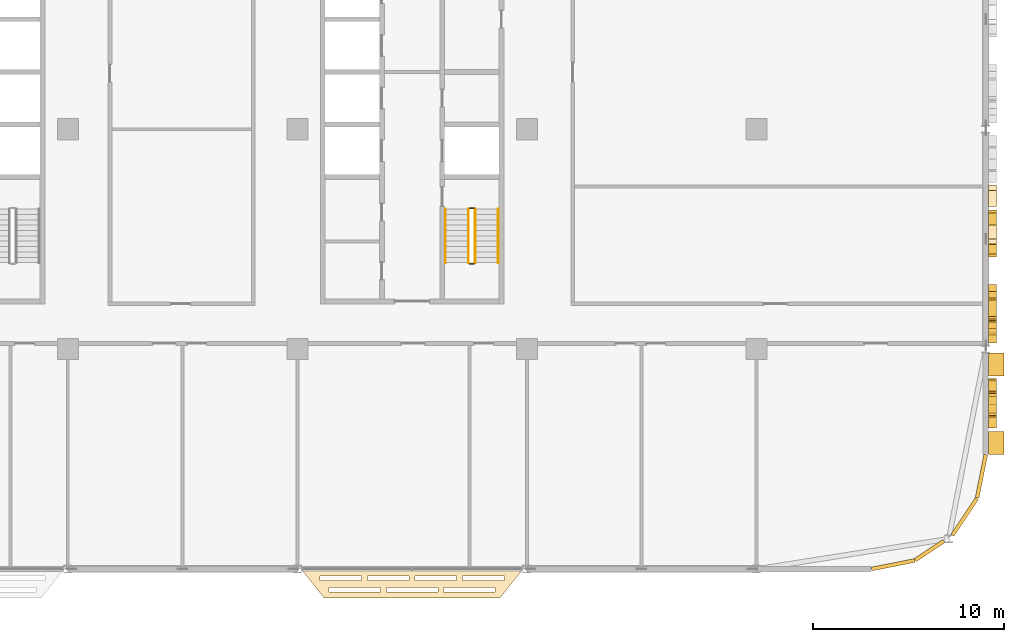
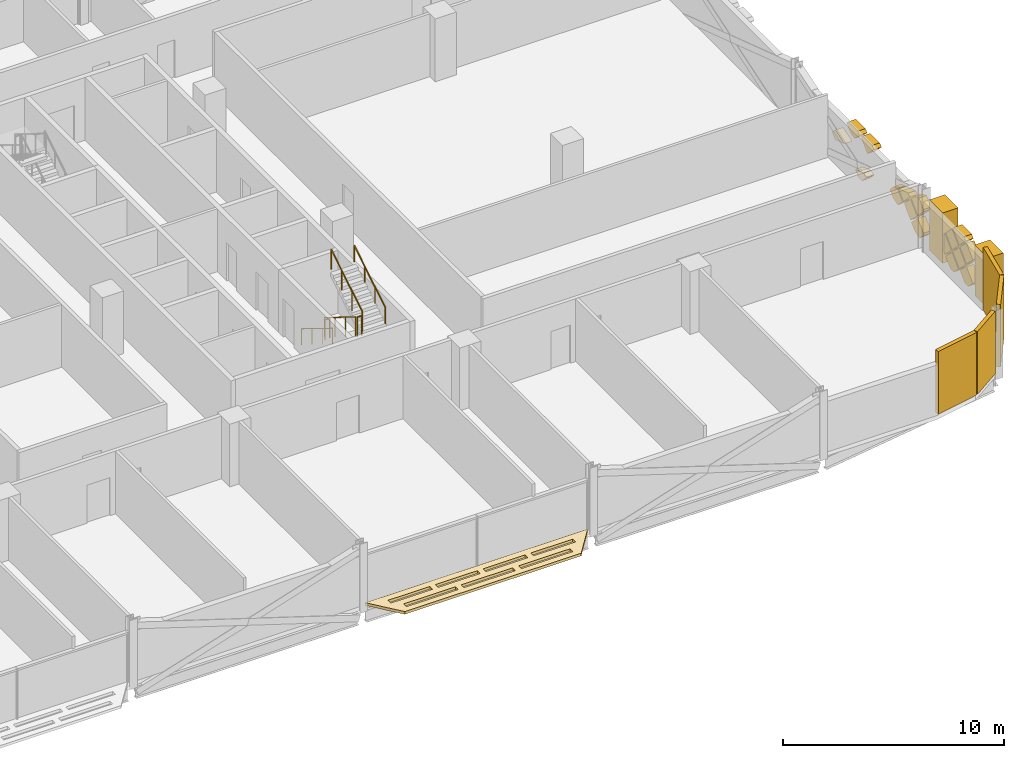
# One storey, part 28 of 29: 23 coverings, 6 railings.
"""IFC4 building model written with IfcOpenShell, lengths in metres."""

from ifc_helpers import new_model, si_unit, direction, frame, origin, origin_2d, place, context, subcontext, project, spatial, polyline, rectangle, circle, outline, extrude, material, layer, layer_set, type_object, element, save


model = new_model("IFC4")

# Units and contexts
model_context = context("Model", 3, precision=1e-05, world=origin(), true_north=direction((0.0, 1.0)))
body_context = subcontext(model_context, "Body", "Model", "MODEL_VIEW")
ifc_project = project(units=[si_unit("LENGTHUNIT", "METRE"), si_unit("AREAUNIT", "SQUARE_METRE"), si_unit("VOLUMEUNIT", "CUBIC_METRE"), si_unit("PLANEANGLEUNIT", "RADIAN"), si_unit("MASSUNIT", "GRAM", prefix="KILO")], contexts=[model_context])

# Site, building, storey
site_placement = place(None, origin())
site = spatial("IfcSite", under=ifc_project, at=site_placement, CompositionType="ELEMENT")
building_placement = place(site_placement, origin())
building = spatial("IfcBuilding", under=site, at=building_placement, Name="Mahtab Terrace Research Tower", CompositionType="ELEMENT")
storey_placement = place(building_placement, frame((0.0, 0.0, 197.699951171875)))
storey = spatial("IfcBuildingStorey", under=building, at=storey_placement, Name="L47", CompositionType="ELEMENT", Elevation=197.699951171875)

# Coverings
ifc_material_1 = material(Name="Black aluminium cladding panel", Category="aluminium")
ifc_layer_1 = layer(ifc_material_1, 0.199951171875)
ifc_layer_set_1 = layer_set([ifc_layer_1], Name="Black metal corner cladding 200")
covering_type_1 = type_object("IfcCoveringType", Name="Black metal corner cladding 200", PredefinedType="CLADDING", material=ifc_layer_set_1)
covering_1_placement = place(storey_placement, frame((49.14794921875, -22.771484375, 0.0), z_axis=(0.0, 0.0, 1.0), x_axis=(0.980760981187, 0.195212442692, 0.0)))
element("IfcCovering", 1, at=covering_1_placement, inside=storey, type_object=covering_type_1, Name="Corner cladding L47 31", PredefinedType="CLADDING", context=body_context, shape_type="SweptSolid", body=[
    extrude(rectangle(XDim=2.30126953125, YDim=0.199951171875, at=origin_2d()), origin(), (0.0, 0.0, 1.0), 3.4599609375),
])
covering_2_placement = place(storey_placement, frame((51.059814453125, -22.032958984375, 0.0), z_axis=(0.0, 0.0, 1.0), x_axis=(0.831655794326, 0.555291490808, 0.0)))
element("IfcCovering", 2, at=covering_2_placement, inside=storey, type_object=covering_type_1, Name="Corner cladding L47 32", PredefinedType="CLADDING", context=body_context, shape_type="SweptSolid", body=[
    extrude(rectangle(XDim=1.797119140625, YDim=0.199951171875, at=origin_2d()), origin(), (0.0, 0.0, 1.0), 3.4599609375),
])
for number, where, z_axis, x_axis, name in (
    (3, (52.89306640625, -20.26953125, 0.0), (0.0, 0.0, 1.0), (0.555291490808, 0.831655794326, 0.0), "Corner cladding L47 33"),
    (4, (53.771484375, -18.14794921875, 0.0), (0.0, 0.0, 1.0), (0.195212442692, 0.980760981187, 0.0), "Corner cladding L47 34"),
):
    element("IfcCovering", number, at=place(storey_placement, frame(where, z_axis=z_axis, x_axis=x_axis)), inside=storey, type_object=covering_type_1, Name=name, PredefinedType="CLADDING", context=body_context, shape_type="SweptSolid", body=[
        extrude(rectangle(XDim=2.30126953125, YDim=0.199951171875, at=origin_2d()), origin(), (0.0, 0.0, 1.0), 3.4599609375),
    ])
ifc_material_2 = material(Name="Black anodised aluminium", Category="aluminium")
ifc_layer_2 = layer(ifc_material_2, 0.14990234375)
ifc_layer_set_2 = layer_set([ifc_layer_2], Name="Horizontal sunshade band")
covering_type_2 = type_object("IfcCoveringType", Name="Horizontal sunshade band", PredefinedType="CLADDING", material=ifc_layer_set_2)
covering_3_placement = place(storey_placement, frame((0.0, 0.0, -0.14990234375)))
element("IfcCovering", 5, at=covering_3_placement, inside=storey, type_object=covering_type_2, Name="Sunshade band L47 28", PredefinedType="CLADDING", context=body_context, shape_type="SweptSolid", body=[
    extrude(outline(polyline([(18.199951171875, -23.0), (29.800048828125, -23.0), (28.60009765625, -24.5), (19.39990234375, -24.5), (18.199951171875, -23.0)]), holes=[polyline([(19.179931640625, -23.35009765625), (21.364990234375, -23.35009765625), (21.364990234375, -23.60009765625), (19.179931640625, -23.60009765625), (19.179931640625, -23.35009765625)]), polyline([(21.6650390625, -23.35009765625), (23.85009765625, -23.35009765625), (23.85009765625, -23.60009765625), (21.6650390625, -23.60009765625), (21.6650390625, -23.35009765625)]), polyline([(24.14990234375, -23.35009765625), (26.3349609375, -23.35009765625), (26.3349609375, -23.60009765625), (24.14990234375, -23.60009765625), (24.14990234375, -23.35009765625)]), polyline([(26.635009765625, -23.35009765625), (28.820068359375, -23.35009765625), (28.820068359375, -23.60009765625), (26.635009765625, -23.60009765625), (26.635009765625, -23.35009765625)]), polyline([(19.659912109375, -23.949951171875), (22.35302734375, -23.949951171875), (22.35302734375, -24.199951171875), (19.659912109375, -24.199951171875), (19.659912109375, -23.949951171875)]), polyline([(22.653076171875, -23.949951171875), (25.346923828125, -23.949951171875), (25.346923828125, -24.199951171875), (22.653076171875, -24.199951171875), (22.653076171875, -23.949951171875)]), polyline([(25.64697265625, -23.949951171875), (28.340087890625, -23.949951171875), (28.340087890625, -24.199951171875), (25.64697265625, -24.199951171875), (25.64697265625, -23.949951171875)])]), origin(), (0.0, 0.0, 1.0), 0.14990234375),
])
ifc_material_3 = material(Name="Bronze anodised aluminium", Category="aluminium")
ifc_layer_3 = layer(ifc_material_3, 0.39990234375)
ifc_layer_set_3 = layer_set([ifc_layer_3], Name="Mashrabiya relief panel 400")
covering_type_3 = type_object("IfcCoveringType", Name="Mashrabiya relief panel 400", PredefinedType="CLADDING", material=ifc_layer_set_3)
covering_4_placement = place(storey_placement, frame((54.14990234375, -15.6298828125, 0.550048828125), z_axis=(-1.0, 0.0, 0.0), x_axis=(0.0, 0.706957932274, 0.707255598772)))
element("IfcCovering", 6, at=covering_4_placement, inside=storey, type_object=covering_type_3, Name="Mashrabiya lattice cell L47 E35.1", PredefinedType="CLADDING", context=body_context, shape_type="SweptSolid", body=[
    extrude(outline(polyline([(0.0, 0.0), (0.8201817362875763, 0.0), (0.8200090664636573, 0.8203543334390104), (0.23305520836335525, 0.820230790214826), (-0.0002961403756186476, 0.5867811882763831), (0.0, 0.0)])), origin(), (0.0, 0.0, -1.0), 0.39990234375),
])
covering_5_placement = place(storey_placement, frame((54.14990234375, -15.050048828125, 2.429931640625), z_axis=(-1.0, 0.0, 0.0), x_axis=(0.0, 0.707255598772, -0.706957932274)))
element("IfcCovering", 7, at=covering_5_placement, inside=storey, type_object=covering_type_3, Name="Mashrabiya lattice cell L47 E35.2", PredefinedType="CLADDING", context=body_context, shape_type="SweptSolid", body=[
    extrude(outline(polyline([(0.0, 0.0), (0.8201817362875763, 0.0), (0.8200090664636573, 0.8203543334390104), (-0.00017259715143413956, 0.8200090664636573), (0.0, 0.0)])), origin(), (0.0, 0.0, -1.0), 0.39990234375),
])
covering_6_placement = place(storey_placement, frame((54.14990234375, -14.39990234375, 1.780029296875), z_axis=(-1.0, 0.0, 0.0), x_axis=(0.0, 0.706957932274, -0.707255598772)))
element("IfcCovering", 8, at=covering_6_placement, inside=storey, type_object=covering_type_3, Name="Mashrabiya lattice cell L47 E35.3", PredefinedType="CLADDING", context=body_context, shape_type="SweptSolid", body=[
    extrude(outline(polyline([(0.0, 0.0), (0.8201817362875763, 0.0), (0.8203543334390104, 0.8200090664636573), (0.00017266982391900276, 0.8203543334390104), (0.0, 0.0)])), origin(), (0.0, 0.0, -1.0), 0.39990234375),
])
covering_7_placement = place(storey_placement, frame((54.14990234375, -13.820068359375, 2.5), z_axis=(-1.0, 0.0, 0.0), x_axis=(0.0, -0.707106781187, -0.707106781187)))
element("IfcCovering", 9, at=covering_7_placement, inside=storey, type_object=covering_type_3, Name="Mashrabiya lattice cell L47 E35.4", PredefinedType="CLADDING", context=body_context, shape_type="SweptSolid", body=[
    extrude(outline(polyline([(0.0, 0.0), (0.8200090846279543, 0.0), (0.820181718119455, 0.820181718119455), (0.6123309943527061, 0.820181718119455), (0.0, 0.20785072376674885), (0.0, 0.0)])), origin(), (0.0, 0.0, -1.0), 0.39990234375),
])
covering_8_placement = place(storey_placement, frame((54.14990234375, -14.330078125, 0.550048828125), z_axis=(-1.0, 0.0, 0.0), x_axis=(0.0, 0.707106781187, 0.707106781187)))
element("IfcCovering", 10, at=covering_8_placement, inside=storey, type_object=covering_type_3, Name="Mashrabiya lattice cell L47 E35.5", PredefinedType="CLADDING", context=body_context, shape_type="SweptSolid", body=[
    extrude(outline(polyline([(0.0, 0.0), (0.8203543516109556, 0.0), (0.8203543516109556, 0.8203543516109556), (0.23340048050884088, 0.8203543516109556), (0.0, 0.5869538711021147), (0.0, 0.0)])), origin(), (0.0, 0.0, -1.0), 0.39990234375),
])
covering_9_placement = place(storey_placement, frame((54.14990234375, -13.75, 2.429931640625), z_axis=(-1.0, 0.0, 0.0), x_axis=(0.0, 0.707255598772, -0.706957932274)))
element("IfcCovering", 11, at=covering_9_placement, inside=storey, type_object=covering_type_3, Name="Mashrabiya lattice cell L47 E35.6", PredefinedType="CLADDING", context=body_context, shape_type="SweptSolid", body=[
    extrude(outline(polyline([(0.0, 0.0), (0.8201817362875763, 0.0), (0.8200090664636573, 0.8203543334390104), (-0.0003452669753531423, 0.8201816636150915), (0.0, 0.0)])), origin(), (0.0, 0.0, -1.0), 0.39990234375),
])
covering_10_placement = place(storey_placement, frame((54.14990234375, -13.10009765625, 0.6201171875), z_axis=(-1.0, 0.0, 0.0), x_axis=(0.0, -0.707106781187, 0.707106781187)))
element("IfcCovering", 12, at=covering_10_placement, inside=storey, type_object=covering_type_3, Name="Mashrabiya lattice cell L47 E35.7", PredefinedType="CLADDING", context=body_context, shape_type="SweptSolid", body=[
    extrude(outline(polyline([(0.0, 0.0), (0.8200090846279543, 0.0), (0.820181718119455, 0.820181718119455), (0.7281680671496235, 0.8203543516109556), (-0.00017263349150062335, 0.09201365096983151), (0.0, 0.0)])), origin(), (0.0, 0.0, -1.0), 0.39990234375),
])
covering_11_placement = place(storey_placement, frame((54.14990234375, -11.1650390625, 0.485107421875), z_axis=(-1.0, 0.0, 0.0), x_axis=(0.0, 0.0, 1.0)))
element("IfcCovering", 13, at=covering_11_placement, inside=storey, type_object=covering_type_3, Name="Mashrabiya lattice cell L47 E36.1", PredefinedType="CLADDING", context=body_context, shape_type="SweptSolid", body=[
    extrude(outline(polyline([(0.0, 0.0), (0.1298828125, 0.0), (0.64501953125, 0.51513671875), (0.06494140625, 1.094970703125), (-0.22314453125, 0.80712890625), (-0.35009765625, 0.424072265625), (-0.35009765625, 0.35009765625), (0.0, 0.0)])), origin(), (0.0, 0.0, -1.0), 0.39990234375),
])
covering_12_placement = place(storey_placement, frame((54.14990234375, -10.070068359375, 1.85009765625), z_axis=(-1.0, 0.0, 0.0), x_axis=(0.0, -0.706957932274, -0.707255598772)))
element("IfcCovering", 14, at=covering_12_placement, inside=storey, type_object=covering_type_3, Name="Mashrabiya lattice cell L47 E36.2", PredefinedType="CLADDING", context=body_context, shape_type="SweptSolid", body=[
    extrude(outline(polyline([(0.0, 0.0), (0.8201817362875763, 0.0), (0.8200283973446179, 0.7285133179950809), (0.7281680510197277, 0.8203350025580498), (0.1624481482398848, 0.8200432952040049), (-0.00010443036067825373, 0.4961486435824318), (0.0, 0.0)])), origin(), (0.0, 0.0, -1.0), 0.39990234375),
])
covering_13_placement = place(storey_placement, frame((54.14990234375, -10.0, 1.780029296875), z_axis=(-1.0, 0.0, 0.0), x_axis=(0.0, 0.707106781187, -0.707106781187)))
element("IfcCovering", 15, at=covering_13_placement, inside=storey, type_object=covering_type_3, Name="Mashrabiya lattice cell L47 E36.3", PredefinedType="CLADDING", context=body_context, shape_type="SweptSolid", body=[
    extrude(outline(polyline([(0.0, 0.0), (0.8203543516109556, 0.0), (0.820181718119455, 0.820181718119455), (0.0, 0.8203543516109556), (0.0, 0.0)])), origin(), (0.0, 0.0, -1.0), 0.39990234375),
])
covering_14_placement = place(storey_placement, frame((54.14990234375, -9.35009765625, 1.27001953125), z_axis=(-1.0, 0.0, 0.0), x_axis=(0.0, -0.706957932274, 0.707255598772)))
element("IfcCovering", 16, at=covering_14_placement, inside=storey, type_object=covering_type_3, Name="Mashrabiya lattice cell L47 E36.4", PredefinedType="CLADDING", context=body_context, shape_type="SweptSolid", body=[
    extrude(outline(polyline([(0.0, 0.0), (0.8201817362875763, 0.0), (0.8202239590012534, 0.2006001126801621), (0.00012921167800000743, 0.6138846821778454), (0.0, 0.0)])), origin(), (0.0, 0.0, -1.0), 0.39990234375),
])
covering_15_placement = place(storey_placement, frame((54.14990234375, -9.280029296875, 1.199951171875), z_axis=(-1.0, 0.0, 0.0), x_axis=(0.0, 0.707106781187, 0.707106781187)))
element("IfcCovering", 17, at=covering_15_placement, inside=storey, type_object=covering_type_3, Name="Mashrabiya lattice cell L47 E36.5", PredefinedType="CLADDING", context=body_context, shape_type="SweptSolid", body=[
    extrude(outline(polyline([(0.0, 0.0), (0.6632578743453896, 0.0), (0.8203543516109556, 0.31246661961612576), (0.820181718119455, 0.820181718119455), (0.4003370667899423, 0.820181718119455), (0.0, 0.6194089675042316), (0.0, 0.0)])), origin(), (0.0, 0.0, -1.0), 0.39990234375),
])
covering_16_placement = place(storey_placement, frame((54.14990234375, -5.52001953125, 2.5), z_axis=(-1.0, 0.0, 0.0), x_axis=(0.0, -0.707255598772, -0.706957932274)))
element("IfcCovering", 18, at=covering_16_placement, inside=storey, type_object=covering_type_3, Name="Mashrabiya lattice cell L47 E36.6", PredefinedType="CLADDING", context=body_context, shape_type="SweptSolid", body=[
    extrude(outline(polyline([(0.0, 0.0), (0.8201817362875763, 0.0), (0.8203543334390104, 0.8200090664636573), (0.6125036142764329, 0.8200528152995156), (4.374883585826772e-05, 0.20785071916257758), (0.0, 0.0)])), origin(), (0.0, 0.0, -1.0), 0.39990234375),
])
covering_17_placement = place(storey_placement, frame((54.14990234375, -6.030029296875, 0.550048828125), z_axis=(-1.0, 0.0, 0.0), x_axis=(0.0, 0.707106781187, 0.707106781187)))
element("IfcCovering", 19, at=covering_17_placement, inside=storey, type_object=covering_type_3, Name="Mashrabiya lattice cell L47 E36.7", PredefinedType="CLADDING", context=body_context, shape_type="SweptSolid", body=[
    extrude(outline(polyline([(0.0, 0.0), (0.031074028470111953, 0.0), (0.2736240840284858, 0.12239714547394098), (0.6251058727237521, 0.820181718119455), (0.23340048050884088, 0.8203543516109556), (0.0, 0.5869538711021147), (0.0, 0.0)])), origin(), (0.0, 0.0, -1.0), 0.39990234375),
])
covering_18_placement = place(storey_placement, frame((54.14990234375, -5.3798828125, 2.5), z_axis=(-1.0, 0.0, 0.0), x_axis=(0.0, 0.707106781187, 0.707106781187)))
element("IfcCovering", 20, at=covering_18_placement, inside=storey, type_object=covering_type_3, Name="Mashrabiya lattice cell L47 E36.8", PredefinedType="CLADDING", context=body_context, shape_type="SweptSolid", body=[
    extrude(outline(polyline([(0.0, 0.0), (0.20785072376674885, 0.0), (0.820181718119455, 0.6123309943527061), (0.820181718119455, 0.820181718119455), (0.3761683779798553, 0.8201817181194551), (-0.0001726334915005956, 0.6306301444517721), (0.0, 0.0)])), origin(), (0.0, 0.0, -1.0), 0.39990234375),
])
covering_19_placement = place(storey_placement, frame((54.14990234375, -2.919921875, 1.199951171875), z_axis=(-1.0, 0.0, 0.0), x_axis=(0.0, -0.707433615792, -0.706779795444)))
element("IfcCovering", 21, at=covering_19_placement, inside=storey, type_object=covering_type_3, Name="Mashrabiya lattice cell L47 E36.9", PredefinedType="CLADDING", context=body_context, shape_type="SweptSolid", body=[
    extrude(outline(polyline([(0.0, 0.0), (0.3734062820218745, -2.7755575615628914e-17), (0.7810232029196996, 0.8099806123937859), (0.00019298554685065472, 0.41742773783788517), (0.0, 0.0)])), origin(), (0.0, 0.0, -1.0), 0.39990234375),
])
ifc_material_4 = material(Name="Glazed ceramic tile cladding", Category="masonry")
ifc_layer_4 = layer(ifc_material_4, 0.800048828125)
ifc_layer_set_4 = layer_set([ifc_layer_4], Name="Pishtaq frame pier 800")
covering_type_4 = type_object("IfcCoveringType", Name="Pishtaq frame pier 800", PredefinedType="CLADDING", material=ifc_layer_set_4)
for number, where, z_axis, x_axis, name in (
    (22, (54.550048828125, -16.39990234375, 0.0), (0.0, 0.0, 1.0), (0.0, 1.0, 0.0), "Pishtaq frame pier 35a"),
    (23, (54.550048828125, -12.300048828125, 0.0), (0.0, 0.0, 1.0), (0.0, 1.0, 0.0), "Pishtaq frame pier 35b"),
):
    element("IfcCovering", number, at=place(storey_placement, frame(where, z_axis=z_axis, x_axis=x_axis)), inside=storey, type_object=covering_type_4, Name=name, PredefinedType="CLADDING", context=body_context, shape_type="SweptSolid", body=[
        extrude(rectangle(XDim=1.199951171875, YDim=0.800048828125, at=origin_2d()), origin(), (0.0, 0.0, 1.0), 2.781982421875),
    ])

# Railings
ifc_material_5 = material(Name="Stainless steel AISI 304", Category="steel")
railing_type_1 = type_object("IfcRailingType", Name="Stair guard 1100", PredefinedType="GUARDRAIL", material=ifc_material_5)
railing_1_placement = place(storey_placement, frame((26.949951171875, -4.175048828125, 0.1728515625)))
element("IfcRailing", 24, at=railing_1_placement, inside=storey, type_object=railing_type_1, Name="L47 ST4 stair guard 1", PredefinedType="GUARDRAIL", context=body_context, shape_type="SweptSolid", body=[
    extrude(circle(Radius=0.02392578125, at=origin_2d()), frame((0.0, 0.0, 1.076171875), z_axis=(0.0, -0.851089632645, 0.525020415988), x_axis=(1.0, 0.0, 0.0)), (0.0, 0.0, 1.0), 3.2900390625),
    extrude(circle(Radius=0.02099609375, at=origin_2d()), origin(), (0.0, 0.0, 1.0), 1.052001953125),
    extrude(circle(Radius=0.02099609375, at=origin_2d()), frame((0.0, -0.933349609375, 0.57568359375)), (0.0, 0.0, 1.0), 1.052001953125),
    extrude(circle(Radius=0.02099609375, at=origin_2d()), frame((0.0, -1.86669921875, 1.151611328125)), (0.0, 0.0, 1.0), 1.052001953125),
    extrude(circle(Radius=0.02099609375, at=origin_2d()), frame((0.0, -2.800048828125, 1.727294921875)), (0.0, 0.0, 1.0), 1.052001953125),
])
railing_2_placement = place(storey_placement, frame((27.0, -7.02490234375, 1.900146484375)))
element("IfcRailing", 25, at=railing_2_placement, inside=storey, type_object=railing_type_1, Name="L47 ST4 stair guard 2", PredefinedType="GUARDRAIL", context=body_context, shape_type="SweptSolid", body=[
    extrude(circle(Radius=0.02392578125, at=origin_2d()), frame((0.0, 0.0, 1.076171875), z_axis=(1.0, 0.0, 0.0), x_axis=(0.0, 1.0, 0.0)), (0.0, 0.0, 1.0), 0.25),
    extrude(circle(Radius=0.02099609375, at=origin_2d()), origin(), (0.0, 0.0, 1.0), 1.052001953125),
    extrude(circle(Radius=0.02099609375, at=origin_2d()), frame((0.25, 0.0, 0.0)), (0.0, 0.0, 1.0), 1.052001953125),
])
railing_3_placement = place(storey_placement, frame((27.300048828125, -6.97509765625, 2.07275390625)))
element("IfcRailing", 26, at=railing_3_placement, inside=storey, type_object=railing_type_1, Name="L47 ST4 stair guard 3", PredefinedType="GUARDRAIL", context=body_context, shape_type="SweptSolid", body=[
    extrude(circle(Radius=0.02392578125, at=origin_2d()), frame((0.0, 0.0, 1.076171875), z_axis=(0.0, 0.851089632645, 0.525020415988), x_axis=(-1.0, 0.0, 0.0)), (0.0, 0.0, 1.0), 3.2900390625),
    extrude(circle(Radius=0.02099609375, at=origin_2d()), origin(), (0.0, 0.0, 1.0), 1.052001953125),
    extrude(circle(Radius=0.02099609375, at=origin_2d()), frame((0.0, 0.933349609375, 0.57568359375)), (0.0, 0.0, 1.0), 1.052001953125),
    extrude(circle(Radius=0.02099609375, at=origin_2d()), frame((0.0, 1.86669921875, 1.151611328125)), (0.0, 0.0, 1.0), 1.052001953125),
    extrude(circle(Radius=0.02099609375, at=origin_2d()), frame((0.0, 2.800048828125, 1.727294921875)), (0.0, 0.0, 1.0), 1.052001953125),
])
railing_4_placement = place(storey_placement, frame((27.0, -4.125, 0.0)))
element("IfcRailing", 27, at=railing_4_placement, inside=storey, type_object=railing_type_1, Name="L47 ST4 stair guard 4", PredefinedType="GUARDRAIL", context=body_context, shape_type="SweptSolid", body=[
    extrude(circle(Radius=0.02392578125, at=origin_2d()), frame((0.0, 0.0, 1.076171875), z_axis=(1.0, 0.0, 0.0), x_axis=(0.0, 1.0, 0.0)), (0.0, 0.0, 1.0), 0.25),
    extrude(circle(Radius=0.02099609375, at=origin_2d()), origin(), (0.0, 0.0, 1.0), 1.052001953125),
    extrude(circle(Radius=0.02099609375, at=origin_2d()), frame((0.25, 0.0, 0.0)), (0.0, 0.0, 1.0), 1.052001953125),
])
railing_type_2 = type_object("IfcRailingType", Name="Stair handrail 900", PredefinedType="HANDRAIL", material=ifc_material_5)
railing_5_placement = place(storey_placement, frame((25.75, -4.175048828125, 0.1728515625)))
element("IfcRailing", 28, at=railing_5_placement, inside=storey, type_object=railing_type_2, Name="L47 ST4 stair handrail 1", PredefinedType="HANDRAIL", context=body_context, shape_type="SweptSolid", body=[
    extrude(circle(Radius=0.02392578125, at=origin_2d()), frame((0.0, 0.0, 0.8759765625), z_axis=(0.0, -0.851089632645, 0.525020415988), x_axis=(1.0, 0.0, 0.0)), (0.0, 0.0, 1.0), 3.2900390625),
    extrude(circle(Radius=0.02099609375, at=origin_2d()), origin(), (0.0, 0.0, 1.0), 0.851806640625),
    extrude(circle(Radius=0.02099609375, at=origin_2d()), frame((0.0, -0.933349609375, 0.57568359375)), (0.0, 0.0, 1.0), 0.851806640625),
    extrude(circle(Radius=0.02099609375, at=origin_2d()), frame((0.0, -1.86669921875, 1.151611328125)), (0.0, 0.0, 1.0), 0.851806640625),
    extrude(circle(Radius=0.02099609375, at=origin_2d()), frame((0.0, -2.800048828125, 1.727294921875)), (0.0, 0.0, 1.0), 0.851806640625),
])
railing_6_placement = place(storey_placement, frame((28.5, -6.97509765625, 2.07275390625)))
element("IfcRailing", 29, at=railing_6_placement, inside=storey, type_object=railing_type_2, Name="L47 ST4 stair handrail 2", PredefinedType="HANDRAIL", context=body_context, shape_type="SweptSolid", body=[
    extrude(circle(Radius=0.02392578125, at=origin_2d()), frame((0.0, 0.0, 0.8759765625), z_axis=(0.0, 0.851089632645, 0.525020415988), x_axis=(-1.0, 0.0, 0.0)), (0.0, 0.0, 1.0), 3.2900390625),
    extrude(circle(Radius=0.02099609375, at=origin_2d()), origin(), (0.0, 0.0, 1.0), 0.851806640625),
    extrude(circle(Radius=0.02099609375, at=origin_2d()), frame((0.0, 0.933349609375, 0.57568359375)), (0.0, 0.0, 1.0), 0.851806640625),
    extrude(circle(Radius=0.02099609375, at=origin_2d()), frame((0.0, 1.86669921875, 1.151611328125)), (0.0, 0.0, 1.0), 0.851806640625),
    extrude(circle(Radius=0.02099609375, at=origin_2d()), frame((0.0, 2.800048828125, 1.727294921875)), (0.0, 0.0, 1.0), 0.851806640625),
])

save(model, "model.ifc")
